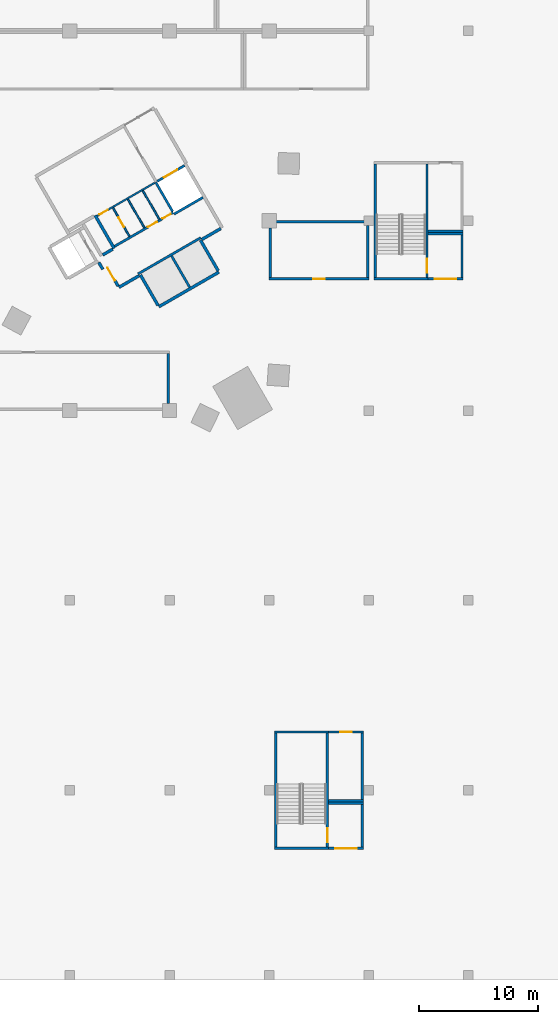
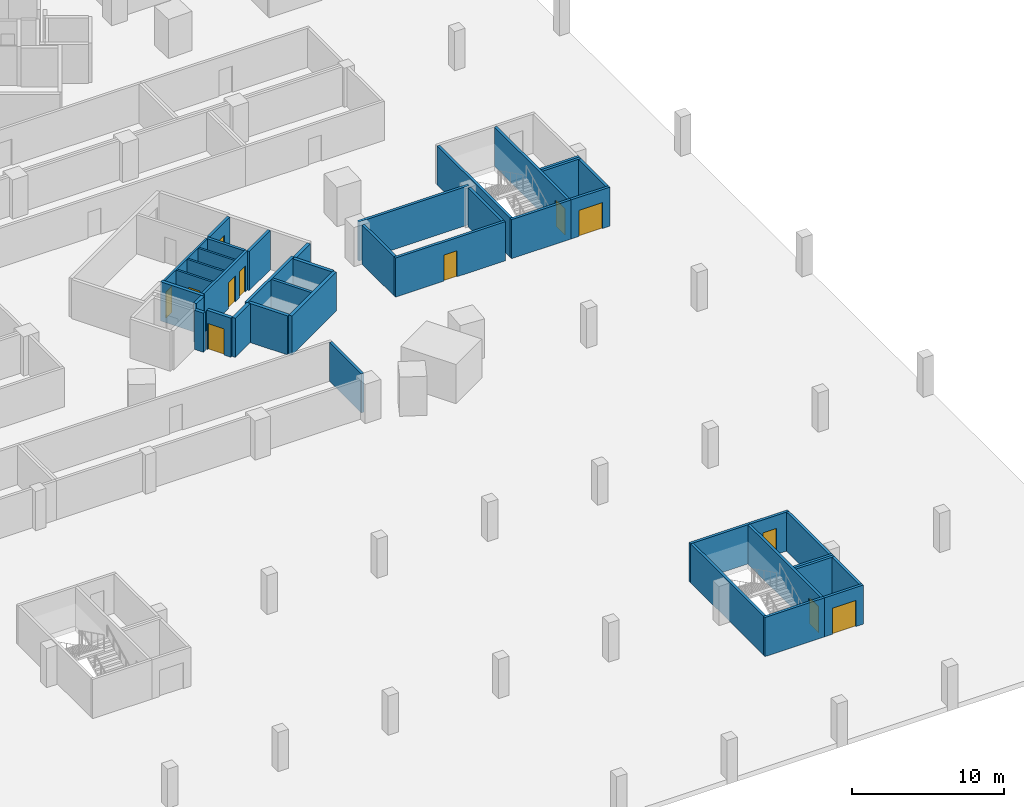
# One storey, part 12 of 37: 41 walls, 12 doors, 12 openings.
"""IFC4 building model written with IfcOpenShell, lengths in metres."""

import ifcopenshell
import ifcopenshell.guid

model = None  # the IFC model being written
_history = None  # IfcOwnerHistory: only IFC2X3 demands one
_inside = {}  # id of a spatial element -> (the spatial element, [elements in it])
_under = {}  # id of a project, library or spatial element -> (it, [spatial elements below it])
_declared = {}  # id of a project -> (the project, [libraries it declares])
_typed = {}  # id of a type object -> (the type object, [elements of that type])
_made_of = {}  # id of a material, layer set ... -> (it, [elements and type objects made of it])


def new_model(schema):
    """Start an empty IFC model of exactly this schema.

    Asked for "IFC4X3", IfcOpenShell would pick the latest addendum, in which some entities
    have other attributes; the version numbers below select the first issue.
    IFC2X3 requires an IfcOwnerHistory on every rooted entity: one is made here for all.
    """
    global model, _history
    if schema == "IFC4X3":
        model = ifcopenshell.file(schema_version=(4, 3, 0, 0))
    else:
        model = ifcopenshell.file(schema=schema)
    _inside.clear()
    _under.clear()
    _declared.clear()
    _typed.clear()
    _made_of.clear()
    _history = None
    if model.schema == "IFC2X3":
        org = make("IfcOrganization", Name="unknown")
        user = make(
            "IfcPersonAndOrganization",
            ThePerson=make("IfcPerson", FamilyName="unknown"),
            TheOrganization=org,
        )
        app = make(
            "IfcApplication",
            ApplicationDeveloper=org,
            Version="unknown",
            ApplicationFullName="unknown",
            ApplicationIdentifier="unknown",
        )
        _history = make(
            "IfcOwnerHistory",
            OwningUser=user,
            OwningApplication=app,
            ChangeAction="ADDED",
            CreationDate=0,
        )
    return model


def make(cls, **values):
    """One entity of the class cls with the attributes given. An attribute that is None is left unset."""
    return model.create_entity(
        cls, **{name: value for name, value in values.items() if value is not None}
    )


def rooted(cls, **values):
    """An entity with a GlobalId (a new one), such as an element, a storey or a relation."""
    return make(cls, GlobalId=ifcopenshell.guid.new(), OwnerHistory=_history, **values)


def si_unit(unit_type, name, prefix=None):
    """IfcSIUnit, for example si_unit("LENGTHUNIT", "METRE", prefix="MILLI")."""
    return make("IfcSIUnit", UnitType=unit_type, Prefix=prefix, Name=name)


def assignment(units):
    """IfcUnitAssignment: the units of a project."""
    return None if units is None else make("IfcUnitAssignment", Units=units)


def point(xyz):
    """IfcCartesianPoint."""
    return None if xyz is None else make("IfcCartesianPoint", Coordinates=xyz)


def direction(xyz):
    """IfcDirection."""
    return None if xyz is None else make("IfcDirection", DirectionRatios=xyz)


def frame(location, z_axis=None, x_axis=None):
    """IfcAxis2Placement3D, a coordinate frame: its origin and axes. An axis left out is left unset."""
    return make(
        "IfcAxis2Placement3D",
        Location=point(location),
        Axis=direction(z_axis),
        RefDirection=direction(x_axis),
    )


def frame_2d(location, x_axis=None):
    """IfcAxis2Placement2D, a coordinate frame in the plane: its origin and x axis."""
    return make(
        "IfcAxis2Placement2D", Location=point(location), RefDirection=direction(x_axis)
    )


def origin():
    """The frame at (0, 0, 0) with its axes left unset."""
    return frame((0.0, 0.0, 0.0))


def place(relative_to, where):
    """IfcLocalPlacement: puts the frame where relative to a parent placement (None: the world)."""
    return make(
        "IfcLocalPlacement", PlacementRelTo=relative_to, RelativePlacement=where
    )


def context(
    kind, dimensions, precision=None, world=None, true_north=None, identifier=None
):
    """IfcGeometricRepresentationContext, for example the 3D "Model" context."""
    return make(
        "IfcGeometricRepresentationContext",
        ContextIdentifier=identifier,
        ContextType=kind,
        CoordinateSpaceDimension=dimensions,
        Precision=precision,
        WorldCoordinateSystem=world,
        TrueNorth=true_north,
    )


def subcontext(parent, identifier, kind, view, scale=None):
    """IfcGeometricRepresentationSubContext, for example "Body" below "Model"."""
    return make(
        "IfcGeometricRepresentationSubContext",
        ContextIdentifier=identifier,
        ContextType=kind,
        ParentContext=parent,
        TargetScale=scale,
        TargetView=view,
    )


def project(units=None, contexts=None):
    """IfcProject with its units and contexts."""
    return rooted(
        "IfcProject",
        Name="project",
        RepresentationContexts=contexts,
        UnitsInContext=assignment(units),
    )


def spatial(cls, under=None, at=None, **own):
    """A site, building, storey or space (cls), placed at a placement, below another one or the project."""
    s = rooted(cls, ObjectPlacement=at, **own)
    if under is not None:
        _under.setdefault(under.id(), (under, []))[1].append(s)
    return s


def profile(cls, at=None, kind="AREA", **sizes):
    """A parametric profile (cls). Its sizes go by their IFC names, for example OverallWidth=200.0."""
    return make(cls, ProfileType=kind, Position=at, **sizes)


def rectangle(**sizes):
    """IfcRectangleProfileDef."""
    return profile("IfcRectangleProfileDef", **sizes)


def extrude(swept, where, along, depth):
    """IfcExtrudedAreaSolid: the profile swept, set in the frame where, extruded along a direction by depth."""
    return make(
        "IfcExtrudedAreaSolid",
        SweptArea=swept,
        Position=where,
        ExtrudedDirection=direction(along),
        Depth=depth,
    )


def shape(context_of_items, identifier, shape_type, items):
    """IfcShapeRepresentation: the items that make up one representation, for example the "Body"."""
    return make(
        "IfcShapeRepresentation",
        ContextOfItems=context_of_items,
        RepresentationIdentifier=identifier,
        RepresentationType=shape_type,
        Items=items,
    )


def material(Name=None, Category=None):
    """IfcMaterial."""
    return make("IfcMaterial", Name=Name, Category=Category)


def layer(
    of_material, thickness, ventilated=None, Name=None, Category=None, Priority=None
):
    """IfcMaterialLayer: one layer of a wall or slab, of a material (None: an air gap)."""
    return make(
        "IfcMaterialLayer",
        Material=of_material,
        LayerThickness=thickness,
        IsVentilated=ventilated,
        Name=Name,
        Category=Category,
        Priority=Priority,
    )


def layer_set(layers, Name=None):
    """IfcMaterialLayerSet."""
    return make("IfcMaterialLayerSet", MaterialLayers=layers, LayerSetName=Name)


def made_of(thing, what):
    """Note that an element or type object is made of a material, layer set ...; save() writes the relation."""
    if what is not None:
        _made_of.setdefault(what.id(), (what, []))[1].append(thing)
    return thing


def type_object(cls, material=None, **own):
    """A type object (cls), such as IfcWallType, which elements share."""
    return made_of(rooted(cls, **own), material)


def element(
    cls,
    number,
    at=None,
    inside=None,
    cuts=None,
    type_object=None,
    material=None,
    context=None,
    identifier="Body",
    shape_type=None,
    held_by="IfcProductDefinitionShape",
    body=None,
    shapes=None,
    **own,
):
    """One element of the class cls, such as IfcWall. Its Tag is "e" and its number.

    at: its placement. inside: the storey or other place that contains it. cuts: it is an
    opening in that element (IfcRelVoidsElement). A single representation is given by context,
    identifier, shape_type and body (its items); several are given by shapes. held_by: the class
    of the entity that holds the representations. save() writes the other relations.
    """
    e = rooted(cls, Tag="e%d" % number, ObjectPlacement=at, **own)
    if body is not None:
        shapes = [shape(context, identifier, shape_type, body)]
    if shapes is not None:
        e.Representation = make(held_by, Representations=shapes)
    if inside is not None:
        _inside.setdefault(inside.id(), (inside, []))[1].append(e)
    if cuts is not None:
        rooted(
            "IfcRelVoidsElement", RelatingBuildingElement=cuts, RelatedOpeningElement=e
        )
    if type_object is not None:
        _typed.setdefault(type_object.id(), (type_object, []))[1].append(e)
    return made_of(e, material)


def fill(opening, filler):
    """IfcRelFillsElement: the door or window that sits in an opening."""
    return rooted(
        "IfcRelFillsElement",
        RelatingOpeningElement=opening,
        RelatedBuildingElement=filler,
    )


def aggregate(whole, parts):
    """IfcRelAggregates: a whole, such as a stair, and the parts it consists of."""
    return rooted("IfcRelAggregates", RelatingObject=whole, RelatedObjects=parts)


def save(model, path):
    """Write the relations noted so far, then the file.

    IfcRelAggregates (storeys below a building ...), IfcRelContainedInSpatialStructure (elements
    in a storey), IfcRelDefinesByType, IfcRelAssociatesMaterial and IfcRelDeclares: one each for
    every whole, place, type object, material and project.
    """
    for whole, parts in _under.values():
        aggregate(whole, parts)
    for where, things in _inside.values():
        rooted(
            "IfcRelContainedInSpatialStructure",
            RelatedElements=things,
            RelatingStructure=where,
        )
    for kind, things in _typed.values():
        rooted("IfcRelDefinesByType", RelatedObjects=things, RelatingType=kind)
    for what, things in _made_of.values():
        rooted("IfcRelAssociatesMaterial", RelatedObjects=things, RelatingMaterial=what)
    for by, libraries in _declared.values():
        rooted("IfcRelDeclares", RelatingContext=by, RelatedDefinitions=libraries)
    model.write(path)


model = new_model("IFC4")

# Units and contexts
model_context = context("Model", 3, precision=1e-05, world=origin(), true_north=direction((0.0, 1.0)))
body_context = subcontext(model_context, "Body", "Model", "MODEL_VIEW")
ifc_project = project(units=[si_unit("LENGTHUNIT", "METRE"), si_unit("AREAUNIT", "SQUARE_METRE"), si_unit("VOLUMEUNIT", "CUBIC_METRE"), si_unit("PLANEANGLEUNIT", "RADIAN"), si_unit("MASSUNIT", "GRAM", prefix="KILO")], contexts=[model_context])

# Site, building, storey
site_placement = place(None, origin())
site = spatial("IfcSite", under=ifc_project, at=site_placement, CompositionType="ELEMENT")
building_placement = place(site_placement, origin())
building = spatial("IfcBuilding", under=site, at=building_placement, Name="Tamra Quay Hotel Tower", CompositionType="ELEMENT")
storey_placement = place(building_placement, frame((0.0, 0.0, -3.60009765625)))
storey = spatial("IfcBuildingStorey", under=building, at=storey_placement, Name="B1", CompositionType="ELEMENT", Elevation=-3.60009765625)

# Wall
ifc_material_1 = material(Name="Blockwork", Category="masonry")
ifc_layer_1 = layer(ifc_material_1, 0.199951171875)
ifc_layer_set_1 = layer_set([ifc_layer_1], Name="Car park room wall 200")
wall_type_1 = type_object("IfcWallType", Name="Car park room wall 200", PredefinedType="PARTITIONING", material=ifc_layer_set_1)
wall_1_placement = place(storey_placement, frame((11.60009765625, -31.39990234375, 0.0), z_axis=(0.0, 0.0, 1.0), x_axis=(0.0, 1.0, 0.0)))
element("IfcWall", 1, at=wall_1_placement, inside=storey, type_object=wall_type_1, Name="PW", PredefinedType="PARTITIONING", context=body_context, shape_type="SweptSolid", body=[
    extrude(rectangle(XDim=4.199951171875, YDim=0.199951171875, at=frame_2d((2.10009765625, 0.0))), origin(), (0.0, 0.0, 1.0), 3.150146484375),
])

# Wall, opening, door
wall_2_placement = place(storey_placement, frame((20.10009765625, -20.89990234375, 0.0), z_axis=(0.0, 0.0, 1.0), x_axis=(1.0, 0.0, 0.0)))
wall_2 = element("IfcWall", 2, at=wall_2_placement, inside=storey, type_object=wall_type_1, Name="PW", PredefinedType="PARTITIONING", context=body_context, shape_type="SweptSolid", body=[
    extrude(rectangle(XDim=8.39990234375, YDim=0.199951171875, at=frame_2d((4.199951171875, 0.0))), origin(), (0.0, 0.0, 1.0), 3.150146484375),
])
opening_1_placement = place(wall_2_placement, frame((3.699951171875, 0.0, 0.0)))
opening_1 = element("IfcOpeningElement", 3, at=opening_1_placement, cuts=wall_2, Name="Opening PD1", PredefinedType="OPENING", context=body_context, shape_type="SweptSolid", body=[
    extrude(rectangle(XDim=1.0, YDim=2.10009765625, at=frame_2d((0.5, 1.050048828125))), frame((0.0, 0.10986328125, 0.0), z_axis=(0.0, -1.0, 0.0), x_axis=(1.0, 0.0, 0.0)), (0.0, 0.0, 1.0), 0.219970703125),
])
ifc_material_2 = material(Name="Car park door 1000 x 2100")
door_type_1 = type_object("IfcDoorType", Name="Car park door 1000 x 2100", OperationType="NOTDEFINED", PredefinedType="DOOR", material=ifc_material_2)
door_1_placement = place(opening_1_placement, origin())
door_1 = element("IfcDoor", 4, at=door_1_placement, inside=storey, type_object=door_type_1, Name="PD1", OperationType="SINGLE_SWING_LEFT", OverallHeight=2.10009765625, OverallWidth=1.0, PredefinedType="DOOR", context=body_context, shape_type="SweptSolid", body=[
    extrude(rectangle(XDim=1.0, YDim=2.10009765625, at=frame_2d((0.5, 1.050048828125))), frame((0.0, 0.02490234375, 0.0), z_axis=(0.0, -1.0, 0.0), x_axis=(1.0, 0.0, 0.0)), (0.0, 0.0, 1.0), 0.050048828125),
])
fill(opening_1, door_1)

# Walls
wall_3_placement = place(storey_placement, frame((20.10009765625, -16.10009765625, 0.0), z_axis=(0.0, 0.0, 1.0), x_axis=(1.0, 0.0, 0.0)))
element("IfcWall", 5, at=wall_3_placement, inside=storey, type_object=wall_type_1, Name="PW", PredefinedType="PARTITIONING", context=body_context, shape_type="SweptSolid", body=[
    extrude(rectangle(XDim=8.39990234375, YDim=0.199951171875, at=frame_2d((4.199951171875, 0.0))), origin(), (0.0, 0.0, 1.0), 3.150146484375),
])
wall_4_placement = place(storey_placement, frame((20.199951171875, -20.800048828125, 0.0), z_axis=(0.0, 0.0, 1.0), x_axis=(0.0, 1.0, 0.0)))
element("IfcWall", 6, at=wall_4_placement, inside=storey, type_object=wall_type_1, Name="PW", PredefinedType="PARTITIONING", context=body_context, shape_type="SweptSolid", body=[
    extrude(rectangle(XDim=4.199951171875, YDim=0.199951171875, at=frame_2d((2.10009765625, 0.0))), origin(), (0.0, 0.0, 1.0), 3.150146484375),
])
wall_5_placement = place(storey_placement, frame((28.39990234375, -20.800048828125, 0.0), z_axis=(0.0, 0.0, 1.0), x_axis=(0.0, 1.0, 0.0)))
element("IfcWall", 7, at=wall_5_placement, inside=storey, type_object=wall_type_1, Name="PW", PredefinedType="PARTITIONING", context=body_context, shape_type="SweptSolid", body=[
    extrude(rectangle(XDim=4.400146484375, YDim=0.199951171875, at=frame_2d((2.2001953125, 0.0))), origin(), (0.0, 0.0, 1.0), 3.150146484375),
])

# Wall, opening, door
wall_6_placement = place(storey_placement, frame((25.10009765625, -68.89990234375, 0.0), z_axis=(0.0, 0.0, 1.0), x_axis=(1.0, 0.0, 0.0)))
wall_6 = element("IfcWall", 8, at=wall_6_placement, inside=storey, type_object=wall_type_1, Name="PW", PredefinedType="PARTITIONING", context=body_context, shape_type="SweptSolid", body=[
    extrude(rectangle(XDim=2.949951171875, YDim=0.199951171875, at=frame_2d((1.47509765625, 0.0))), origin(), (0.0, 0.0, 1.0), 3.150146484375),
])
opening_2_placement = place(wall_6_placement, frame((0.574951171875, 0.0, 0.0)))
opening_2 = element("IfcOpeningElement", 9, at=opening_2_placement, cuts=wall_6, Name="Opening PD2", PredefinedType="OPENING", context=body_context, shape_type="SweptSolid", body=[
    extrude(rectangle(XDim=1.800048828125, YDim=2.10009765625, at=frame_2d((0.89990234375, 1.050048828125))), frame((0.0, 0.10986328125, 0.0), z_axis=(0.0, -1.0, 0.0), x_axis=(1.0, 0.0, 0.0)), (0.0, 0.0, 1.0), 0.219970703125),
])
ifc_material_3 = material(Name="Plant door 1800 x 2100")
door_type_2 = type_object("IfcDoorType", Name="Plant door 1800 x 2100", OperationType="DOUBLE_DOOR_SINGLE_SWING", PredefinedType="DOOR", material=ifc_material_3)
door_2_placement = place(opening_2_placement, origin())
door_2 = element("IfcDoor", 10, at=door_2_placement, inside=storey, type_object=door_type_2, Name="PD2", OperationType="DOUBLE_DOOR_SINGLE_SWING", OverallHeight=2.10009765625, OverallWidth=1.800048828125, PredefinedType="DOOR", context=body_context, shape_type="SweptSolid", body=[
    extrude(rectangle(XDim=1.800048828125, YDim=2.10009765625, at=frame_2d((0.89990234375, 1.050048828125))), frame((0.0, 0.02490234375, 0.0), z_axis=(0.0, -1.0, 0.0), x_axis=(1.0, 0.0, 0.0)), (0.0, 0.0, 1.0), 0.050048828125),
])
fill(opening_2, door_2)

# Walls
wall_7_placement = place(storey_placement, frame((25.10009765625, -65.10009765625, 0.0), z_axis=(0.0, 0.0, 1.0), x_axis=(1.0, 0.0, 0.0)))
element("IfcWall", 11, at=wall_7_placement, inside=storey, type_object=wall_type_1, Name="PW", PredefinedType="PARTITIONING", context=body_context, shape_type="SweptSolid", body=[
    extrude(rectangle(XDim=2.949951171875, YDim=0.199951171875, at=frame_2d((1.47509765625, 0.0))), origin(), (0.0, 0.0, 1.0), 3.150146484375),
])
wall_8_placement = place(storey_placement, frame((27.949951171875, -68.800048828125, 0.0), z_axis=(0.0, 0.0, 1.0), x_axis=(0.0, 1.0, 0.0)))
element("IfcWall", 12, at=wall_8_placement, inside=storey, type_object=wall_type_1, Name="PW", PredefinedType="PARTITIONING", context=body_context, shape_type="SweptSolid", body=[
    extrude(rectangle(XDim=3.60009765625, YDim=0.199951171875, at=frame_2d((1.800048828125, 0.0))), origin(), (0.0, 0.0, 1.0), 3.150146484375),
])
wall_9_placement = place(storey_placement, frame((25.10009765625, -64.89990234375, 0.0), z_axis=(0.0, 0.0, 1.0), x_axis=(1.0, 0.0, 0.0)))
element("IfcWall", 13, at=wall_9_placement, inside=storey, type_object=wall_type_1, Name="PW", PredefinedType="PARTITIONING", context=body_context, shape_type="SweptSolid", body=[
    extrude(rectangle(XDim=2.949951171875, YDim=0.199951171875, at=frame_2d((1.47509765625, 0.0))), origin(), (0.0, 0.0, 1.0), 3.150146484375),
])

# Wall, opening, door
wall_10_placement = place(storey_placement, frame((25.10009765625, -59.10009765625, 0.0), z_axis=(0.0, 0.0, 1.0), x_axis=(1.0, 0.0, 0.0)))
wall_10 = element("IfcWall", 14, at=wall_10_placement, inside=storey, type_object=wall_type_1, Name="PW", PredefinedType="PARTITIONING", context=body_context, shape_type="SweptSolid", body=[
    extrude(rectangle(XDim=2.949951171875, YDim=0.199951171875, at=frame_2d((1.47509765625, 0.0))), origin(), (0.0, 0.0, 1.0), 3.150146484375),
])
opening_3_placement = place(wall_10_placement, frame((0.97509765625, 0.0, 0.0)))
opening_3 = element("IfcOpeningElement", 15, at=opening_3_placement, cuts=wall_10, Name="Opening PD1", PredefinedType="OPENING", context=body_context, shape_type="SweptSolid", body=[
    extrude(rectangle(XDim=1.0, YDim=2.10009765625, at=frame_2d((0.5, 1.050048828125))), frame((0.0, 0.10986328125, 0.0), z_axis=(0.0, -1.0, 0.0), x_axis=(1.0, 0.0, 0.0)), (0.0, 0.0, 1.0), 0.219970703125),
])
door_3_placement = place(opening_3_placement, origin())
door_3 = element("IfcDoor", 16, at=door_3_placement, inside=storey, type_object=door_type_1, Name="PD1", OperationType="SINGLE_SWING_LEFT", OverallHeight=2.10009765625, OverallWidth=1.0, PredefinedType="DOOR", context=body_context, shape_type="SweptSolid", body=[
    extrude(rectangle(XDim=1.0, YDim=2.10009765625, at=frame_2d((0.5, 1.050048828125))), frame((0.0, 0.02490234375, 0.0), z_axis=(0.0, -1.0, 0.0), x_axis=(1.0, 0.0, 0.0)), (0.0, 0.0, 1.0), 0.050048828125),
])
fill(opening_3, door_3)

# Wall
wall_11_placement = place(storey_placement, frame((27.949951171875, -64.800048828125, 0.0), z_axis=(0.0, 0.0, 1.0), x_axis=(0.0, 1.0, 0.0)))
element("IfcWall", 17, at=wall_11_placement, inside=storey, type_object=wall_type_1, Name="PW", PredefinedType="PARTITIONING", context=body_context, shape_type="SweptSolid", body=[
    extrude(rectangle(XDim=5.60009765625, YDim=0.199951171875, at=frame_2d((2.800048828125, 0.0))), origin(), (0.0, 0.0, 1.0), 3.150146484375),
])

# Wall, opening, door
wall_12_placement = place(storey_placement, frame((33.5, -20.89990234375, 0.0), z_axis=(0.0, 0.0, 1.0), x_axis=(1.0, 0.0, 0.0)))
wall_12 = element("IfcWall", 18, at=wall_12_placement, inside=storey, type_object=wall_type_1, Name="PW", PredefinedType="PARTITIONING", context=body_context, shape_type="SweptSolid", body=[
    extrude(rectangle(XDim=2.949951171875, YDim=0.199951171875, at=frame_2d((1.47509765625, 0.0))), origin(), (0.0, 0.0, 1.0), 3.150146484375),
])
opening_4_placement = place(wall_12_placement, frame((0.574951171875, 0.0, 0.0)))
opening_4 = element("IfcOpeningElement", 19, at=opening_4_placement, cuts=wall_12, Name="Opening PD2", PredefinedType="OPENING", context=body_context, shape_type="SweptSolid", body=[
    extrude(rectangle(XDim=1.800048828125, YDim=2.10009765625, at=frame_2d((0.89990234375, 1.050048828125))), frame((0.0, 0.10986328125, 0.0), z_axis=(0.0, -1.0, 0.0), x_axis=(1.0, 0.0, 0.0)), (0.0, 0.0, 1.0), 0.219970703125),
])
door_4_placement = place(opening_4_placement, origin())
door_4 = element("IfcDoor", 20, at=door_4_placement, inside=storey, type_object=door_type_2, Name="PD2", OperationType="DOUBLE_DOOR_SINGLE_SWING", OverallHeight=2.10009765625, OverallWidth=1.800048828125, PredefinedType="DOOR", context=body_context, shape_type="SweptSolid", body=[
    extrude(rectangle(XDim=1.800048828125, YDim=2.10009765625, at=frame_2d((0.89990234375, 1.050048828125))), frame((0.0, 0.02490234375, 0.0), z_axis=(0.0, -1.0, 0.0), x_axis=(1.0, 0.0, 0.0)), (0.0, 0.0, 1.0), 0.050048828125),
])
fill(opening_4, door_4)

# Walls
wall_13_placement = place(storey_placement, frame((33.5, -17.10009765625, 0.0), z_axis=(0.0, 0.0, 1.0), x_axis=(1.0, 0.0, 0.0)))
element("IfcWall", 21, at=wall_13_placement, inside=storey, type_object=wall_type_1, Name="PW", PredefinedType="PARTITIONING", context=body_context, shape_type="SweptSolid", body=[
    extrude(rectangle(XDim=2.949951171875, YDim=0.199951171875, at=frame_2d((1.47509765625, 0.0))), origin(), (0.0, 0.0, 1.0), 3.150146484375),
])
wall_14_placement = place(storey_placement, frame((36.35009765625, -20.800048828125, 0.0), z_axis=(0.0, 0.0, 1.0), x_axis=(0.0, 1.0, 0.0)))
element("IfcWall", 22, at=wall_14_placement, inside=storey, type_object=wall_type_1, Name="PW", PredefinedType="PARTITIONING", context=body_context, shape_type="SweptSolid", body=[
    extrude(rectangle(XDim=3.60009765625, YDim=0.199951171875, at=frame_2d((1.800048828125, 0.0))), origin(), (0.0, 0.0, 1.0), 3.150146484375),
])
wall_15_placement = place(storey_placement, frame((33.5, -16.89990234375, 0.0), z_axis=(0.0, 0.0, 1.0), x_axis=(1.0, 0.0, 0.0)))
element("IfcWall", 23, at=wall_15_placement, inside=storey, type_object=wall_type_1, Name="PW", PredefinedType="PARTITIONING", context=body_context, shape_type="SweptSolid", body=[
    extrude(rectangle(XDim=2.949951171875, YDim=0.199951171875, at=frame_2d((1.47509765625, 0.0))), origin(), (0.0, 0.0, 1.0), 3.150146484375),
])
ifc_material_4 = material(Name="Concrete M70", Category="concrete")
ifc_layer_2 = layer(ifc_material_4, 0.199951171875)
ifc_layer_set_2 = layer_set([ifc_layer_2], Name="Concrete M70 core wall 200")
wall_type_2 = type_object("IfcWallType", Name="Concrete M70 core wall 200", PredefinedType="SHEAR", material=ifc_layer_set_2)
wall_16_placement = place(storey_placement, frame((9.052490234375, -20.479736328125, 0.0), z_axis=(0.0, 0.0, 1.0), x_axis=(0.866030299012, 0.499991521122, 0.0)))
element("IfcWall", 24, at=wall_16_placement, inside=storey, type_object=wall_type_2, Name="CW2", PredefinedType="SHEAR", context=body_context, shape_type="SweptSolid", body=[
    extrude(rectangle(XDim=6.10009765625, YDim=0.199951171875, at=frame_2d((3.050048828125, 0.0))), origin(), (0.0, 0.0, 1.0), 3.150146484375),
])

# Wall, openings, doors
wall_17_placement = place(storey_placement, frame((7.0771484375, -18.156005859375, 0.0), z_axis=(0.0, 0.0, 1.0), x_axis=(0.866038630372, 0.499977090179, 0.0)))
wall_17 = element("IfcWall", 25, at=wall_17_placement, inside=storey, type_object=wall_type_2, Name="CW2", PredefinedType="SHEAR", context=body_context, shape_type="SweptSolid", body=[
    extrude(rectangle(XDim=5.698974609375, YDim=0.199951171875, at=frame_2d((2.849609375, 0.0))), origin(), (0.0, 0.0, 1.0), 3.150146484375),
])
opening_5_placement = place(wall_17_placement, frame((3.22412109375, 0.0, 0.0)))
opening_5 = element("IfcOpeningElement", 26, at=opening_5_placement, cuts=wall_17, Name="Opening D2", PredefinedType="OPENING", context=body_context, shape_type="SweptSolid", body=[
    extrude(rectangle(XDim=0.89990234375, YDim=2.10009765625, at=frame_2d((0.449951171875, 1.050048828125))), frame((0.0, 0.10986328125, 0.0), z_axis=(0.0, -1.0, 0.0), x_axis=(1.0, 0.0, 0.0)), (0.0, 0.0, 1.0), 0.219970703125),
])
opening_6_placement = place(wall_17_placement, frame((4.64892578125, 0.0, 0.0)))
opening_6 = element("IfcOpeningElement", 27, at=opening_6_placement, cuts=wall_17, Name="Opening D3", PredefinedType="OPENING", context=body_context, shape_type="SweptSolid", body=[
    extrude(rectangle(XDim=0.800048828125, YDim=2.10009765625, at=frame_2d((0.39990234375, 1.050048828125))), frame((0.0, 0.10986328125, 0.0), z_axis=(0.0, -1.0, 0.0), x_axis=(1.0, 0.0, 0.0)), (0.0, 0.0, 1.0), 0.219970703125),
])
ifc_material_5 = material(Name="Core door D2 900x2100 RH")
door_type_3 = type_object("IfcDoorType", Name="Core door D2 900x2100 RH", OperationType="NOTDEFINED", PredefinedType="DOOR", material=ifc_material_5)
door_5_placement = place(opening_5_placement, origin())
door_5 = element("IfcDoor", 28, at=door_5_placement, inside=storey, type_object=door_type_3, Name="D2", OperationType="SINGLE_SWING_RIGHT", OverallHeight=2.10009765625, OverallWidth=0.89990234375, PredefinedType="DOOR", context=body_context, shape_type="SweptSolid", body=[
    extrude(rectangle(XDim=0.89990234375, YDim=2.10009765625, at=frame_2d((0.449951171875, 1.050048828125))), frame((0.0, 0.02490234375, 0.0), z_axis=(0.0, -1.0, 0.0), x_axis=(1.0, 0.0, 0.0)), (0.0, 0.0, 1.0), 0.050048828125),
])
fill(opening_5, door_5)
ifc_material_6 = material(Name="Core door D3 800x2100 LH")
door_type_4 = type_object("IfcDoorType", Name="Core door D3 800x2100 LH", OperationType="NOTDEFINED", PredefinedType="DOOR", material=ifc_material_6)
door_6_placement = place(opening_6_placement, origin())
door_6 = element("IfcDoor", 29, at=door_6_placement, inside=storey, type_object=door_type_4, Name="D3", OperationType="SINGLE_SWING_LEFT", OverallHeight=2.10009765625, OverallWidth=0.800048828125, PredefinedType="DOOR", context=body_context, shape_type="SweptSolid", body=[
    extrude(rectangle(XDim=0.800048828125, YDim=2.10009765625, at=frame_2d((0.39990234375, 1.050048828125))), frame((0.0, 0.02490234375, 0.0), z_axis=(0.0, -1.0, 0.0), x_axis=(1.0, 0.0, 0.0)), (0.0, 0.0, 1.0), 0.050048828125),
])
fill(opening_6, door_6)

# Walls
wall_18_placement = place(storey_placement, frame((11.87451171875, -18.967041015625, 0.0), z_axis=(0.0, 0.0, 1.0), x_axis=(0.49998131003, -0.866036194175, 0.0)))
element("IfcWall", 30, at=wall_18_placement, inside=storey, type_object=wall_type_2, Name="CW2", PredefinedType="SHEAR", context=body_context, shape_type="SweptSolid", body=[
    extrude(rectangle(XDim=3.0478515625, YDim=0.199951171875, at=frame_2d((1.52392578125, 0.0))), origin(), (0.0, 0.0, 1.0), 3.150146484375),
])
wall_19_placement = place(storey_placement, frame((11.962646484375, -15.219970703125, 0.0), z_axis=(0.0, 0.0, 1.0), x_axis=(-0.500036373335, 0.866004402611, 0.0)))
element("IfcWall", 31, at=wall_19_placement, inside=storey, type_object=wall_type_2, Name="CW2", PredefinedType="SHEAR", context=body_context, shape_type="SweptSolid", body=[
    extrude(rectangle(XDim=2.849853515625, YDim=0.199951171875, at=frame_2d((1.4248046875, 0.0))), origin(), (0.0, 0.0, 1.0), 3.150146484375),
])

# Wall, opening, door
wall_20_placement = place(storey_placement, frame((10.667724609375, -12.6767578125, 0.0), z_axis=(0.0, 0.0, 1.0), x_axis=(0.866016748302, 0.500014991436, 0.0)))
wall_20 = element("IfcWall", 32, at=wall_20_placement, inside=storey, type_object=wall_type_2, Name="CW2", PredefinedType="SHEAR", context=body_context, shape_type="SweptSolid", body=[
    extrude(rectangle(XDim=2.64892578125, YDim=0.199951171875, at=frame_2d((1.324462890625, 0.0))), origin(), (0.0, 0.0, 1.0), 3.150146484375),
])
opening_7_placement = place(wall_20_placement, frame((0.64990234375, 0.0, 0.0)))
opening_7 = element("IfcOpeningElement", 33, at=opening_7_placement, cuts=wall_20, Name="Opening LD", PredefinedType="OPENING", context=body_context, shape_type="SweptSolid", body=[
    extrude(rectangle(XDim=1.300048828125, YDim=2.10009765625, at=frame_2d((0.64990234375, 1.050048828125))), frame((0.0, 0.10986328125, 0.0), z_axis=(0.0, -1.0, 0.0), x_axis=(1.0, 0.0, 0.0)), (0.0, 0.0, 1.0), 0.219970703125),
])
ifc_material_7 = material(Name="Landing door LD 1300 sliding to left")
door_type_5 = type_object("IfcDoorType", Name="Landing door LD 1300 sliding to left", OperationType="NOTDEFINED", PredefinedType="DOOR", material=ifc_material_7)
door_7_placement = place(opening_7_placement, origin())
door_7 = element("IfcDoor", 34, at=door_7_placement, inside=storey, type_object=door_type_5, Name="LD", OperationType="SLIDING_TO_LEFT", OverallHeight=2.10009765625, OverallWidth=1.300048828125, PredefinedType="DOOR", context=body_context, shape_type="SweptSolid", body=[
    extrude(rectangle(XDim=1.300048828125, YDim=2.10009765625, at=frame_2d((0.64990234375, 1.050048828125))), frame((0.0, 0.02490234375, 0.0), z_axis=(0.0, -1.0, 0.0), x_axis=(1.0, 0.0, 0.0)), (0.0, 0.0, 1.0), 0.050048828125),
])
fill(opening_7, door_7)

# Walls
wall_21_placement = place(storey_placement, frame((14.51171875, -14.037109375, 0.0), z_axis=(0.0, 0.0, 1.0), x_axis=(-0.866044696403, -0.499966582715, 0.0)))
element("IfcWall", 35, at=wall_21_placement, inside=storey, type_object=wall_type_2, Name="CW2", PredefinedType="SHEAR", context=body_context, shape_type="SweptSolid", body=[
    extrude(rectangle(XDim=2.799072265625, YDim=0.199951171875, at=frame_2d((1.3994140625, 0.0))), origin(), (0.0, 0.0, 1.0), 3.150146484375),
])
ifc_layer_3 = layer(ifc_material_4, 0.25)
ifc_layer_set_3 = layer_set([ifc_layer_3], Name="Concrete M70 core wall 250")
wall_type_3 = type_object("IfcWallType", Name="Concrete M70 core wall 250", PredefinedType="SHEAR", material=ifc_layer_set_3)
wall_22_placement = place(storey_placement, frame((15.86474609375, -20.328369140625, 0.0), z_axis=(0.0, 0.0, 1.0), x_axis=(-0.86602852612, -0.499994591916, 0.0)))
element("IfcWall", 36, at=wall_22_placement, inside=storey, type_object=wall_type_3, Name="CW1", PredefinedType="SHEAR", context=body_context, shape_type="SweptSolid", body=[
    extrude(rectangle(XDim=5.85009765625, YDim=0.25, at=frame_2d((2.925048828125, 0.0))), origin(), (0.0, 0.0, 1.0), 3.150146484375),
])
wall_23_placement = place(storey_placement, frame((7.030517578125, -18.327392578125, 0.0), z_axis=(0.0, 0.0, 1.0), x_axis=(-0.499971222258, 0.866042017984, 0.0)))
element("IfcWall", 37, at=wall_23_placement, inside=storey, type_object=wall_type_3, Name="CW1", PredefinedType="SHEAR", context=body_context, shape_type="SweptSolid", body=[
    extrude(rectangle(XDim=3.199951171875, YDim=0.25, at=frame_2d((1.60009765625, 0.0))), origin(), (0.0, 0.0, 1.0), 3.150146484375),
])
for number, where, z_axis, x_axis, name in (
    (38, (14.314697265625, -17.643798828125, 0.0), (0.0, 0.0, 1.0), (0.500023226632, -0.866011993467, 0.0), "CW1"),
    (39, (10.73583984375, -23.144775390625, 0.0), (0.0, 0.0, 1.0), (-0.500023226632, 0.866011993467, 0.0), "CW1"),
):
    element("IfcWall", number, at=place(storey_placement, frame(where, z_axis=z_axis, x_axis=x_axis)), inside=storey, type_object=wall_type_3, Name=name, PredefinedType="SHEAR", context=body_context, shape_type="SweptSolid", body=[
        extrude(rectangle(XDim=2.974365234375, YDim=0.25, at=frame_2d((1.4873046875, 0.0))), origin(), (0.0, 0.0, 1.0), 3.150146484375),
    ])
wall_24_placement = place(storey_placement, frame((9.139892578125, -20.63134765625, 0.0), z_axis=(0.0, 0.0, 1.0), x_axis=(-0.866043531843, -0.499968599967, 0.0)))
element("IfcWall", 40, at=wall_24_placement, inside=storey, type_object=wall_type_3, Name="CW1", PredefinedType="SHEAR", context=body_context, shape_type="SweptSolid", body=[
    extrude(rectangle(XDim=1.974853515625, YDim=0.25, at=frame_2d((0.9873046875, 0.0))), origin(), (0.0, 0.0, 1.0), 3.150146484375),
])
wall_25_placement = place(storey_placement, frame((16.024658203125, -16.656494140625, 0.0), z_axis=(0.0, 0.0, 1.0), x_axis=(-0.866016279763, -0.500015802937, 0.0)))
element("IfcWall", 41, at=wall_25_placement, inside=storey, type_object=wall_type_3, Name="CW1", PredefinedType="SHEAR", context=body_context, shape_type="SweptSolid", body=[
    extrude(rectangle(XDim=1.84912109375, YDim=0.25, at=frame_2d((0.924560546875, 0.0))), origin(), (0.0, 0.0, 1.0), 3.150146484375),
])

# Wall, opening, door
wall_26_placement = place(storey_placement, frame((7.3671875, -21.51025390625, 0.0), z_axis=(0.0, 0.0, 1.0), x_axis=(-0.499983108224, 0.866035156036, 0.0)))
wall_26 = element("IfcWall", 42, at=wall_26_placement, inside=storey, type_object=wall_type_3, Name="CW1", PredefinedType="SHEAR", context=body_context, shape_type="SweptSolid", body=[
    extrude(rectangle(XDim=1.86474609375, YDim=0.25, at=frame_2d((0.932373046875, 0.0))), origin(), (0.0, 0.0, 1.0), 3.150146484375),
])
opening_8_placement = place(wall_26_placement, frame((0.53466796875, 0.0, 0.0)))
opening_8 = element("IfcOpeningElement", 43, at=opening_8_placement, cuts=wall_26, Name="Opening FD3", PredefinedType="OPENING", context=body_context, shape_type="SweptSolid", body=[
    extrude(rectangle(XDim=1.25, YDim=2.10009765625, at=frame_2d((0.625, 1.050048828125))), frame((0.0, 0.135009765625, 0.0), z_axis=(0.0, -1.0, 0.0), x_axis=(1.0, 0.0, 0.0)), (0.0, 0.0, 1.0), 0.27001953125),
])
ifc_material_8 = material(Name="Core door FD3 1250x2100 LH")
door_type_6 = type_object("IfcDoorType", Name="Core door FD3 1250x2100 LH", OperationType="NOTDEFINED", PredefinedType="DOOR", material=ifc_material_8)
door_8_placement = place(opening_8_placement, origin())
door_8 = element("IfcDoor", 44, at=door_8_placement, inside=storey, type_object=door_type_6, Name="FD3", OperationType="SINGLE_SWING_LEFT", OverallHeight=2.10009765625, OverallWidth=1.25, PredefinedType="DOOR", context=body_context, shape_type="SweptSolid", body=[
    extrude(rectangle(XDim=1.25, YDim=2.10009765625, at=frame_2d((0.625, 1.050048828125))), frame((0.0, 0.02490234375, 0.0), z_axis=(0.0, -1.0, 0.0), x_axis=(1.0, 0.0, 0.0)), (0.0, 0.0, 1.0), 0.050048828125),
])
fill(opening_8, door_8)

# Walls
wall_27_placement = place(storey_placement, frame((6.0654296875, -18.884765625, 0.0), z_axis=(0.0, 0.0, 1.0), x_axis=(0.866017078145, 0.500014420154, 0.0)))
element("IfcWall", 45, at=wall_27_placement, inside=storey, type_object=wall_type_3, Name="CW1", PredefinedType="SHEAR", context=body_context, shape_type="SweptSolid", body=[
    extrude(rectangle(XDim=0.9892578125, YDim=0.25, at=frame_2d((0.49462890625, 0.0))), origin(), (0.0, 0.0, 1.0), 3.150146484375),
])
wall_28_placement = place(storey_placement, frame((6.07958984375, -20.100341796875, 0.0), z_axis=(0.0, 0.0, 1.0), x_axis=(-0.500051773299, 0.865995510393, 0.0)))
element("IfcWall", 46, at=wall_28_placement, inside=storey, type_object=wall_type_3, Name="CW1", PredefinedType="SHEAR", context=body_context, shape_type="SweptSolid", body=[
    extrude(rectangle(XDim=0.6845703125, YDim=0.25, at=frame_2d((0.34228515625, 0.0))), origin(), (0.0, 0.0, 1.0), 3.150146484375),
])
ifc_layer_4 = layer(ifc_material_4, 0.199951171875)
ifc_layer_set_4 = layer_set([ifc_layer_4], Name="Concrete M70 stair enclosure wall 200")
wall_type_4 = type_object("IfcWallType", Name="Concrete M70 stair enclosure wall 200", PredefinedType="SOLIDWALL", material=ifc_layer_set_4)
wall_29_placement = place(storey_placement, frame((20.64990234375, -68.800048828125, 0.0), z_axis=(0.0, 0.0, 1.0), x_axis=(0.0, 1.0, 0.0)))
element("IfcWall", 47, at=wall_29_placement, inside=storey, type_object=wall_type_4, Name="SEW", PredefinedType="SOLIDWALL", context=body_context, shape_type="SweptSolid", body=[
    extrude(rectangle(XDim=9.60009765625, YDim=0.199951171875, at=frame_2d((4.800048828125, 0.0))), origin(), (0.0, 0.0, 1.0), 3.150146484375),
])

# Wall, opening, door
wall_30_placement = place(storey_placement, frame((25.0, -68.800048828125, 0.0), z_axis=(0.0, 0.0, 1.0), x_axis=(0.0, 1.0, 0.0)))
wall_30 = element("IfcWall", 48, at=wall_30_placement, inside=storey, type_object=wall_type_4, Name="SEW", PredefinedType="SOLIDWALL", context=body_context, shape_type="SweptSolid", body=[
    extrude(rectangle(XDim=9.60009765625, YDim=0.199951171875, at=frame_2d((4.800048828125, 0.0))), origin(), (0.0, 0.0, 1.0), 3.150146484375),
])
opening_9_placement = place(wall_30_placement, frame((0.39990234375, 0.0, 0.0)))
opening_9 = element("IfcOpeningElement", 49, at=opening_9_placement, cuts=wall_30, Name="Opening SD1", PredefinedType="OPENING", context=body_context, shape_type="SweptSolid", body=[
    extrude(rectangle(XDim=1.199951171875, YDim=2.10009765625, at=frame_2d((0.60009765625, 1.050048828125))), frame((0.0, 0.10986328125, 0.0), z_axis=(0.0, -1.0, 0.0), x_axis=(1.0, 0.0, 0.0)), (0.0, 0.0, 1.0), 0.219970703125),
])
ifc_material_9 = material(Name="Stair door 1200 x 2100")
door_type_7 = type_object("IfcDoorType", Name="Stair door 1200 x 2100", OperationType="NOTDEFINED", PredefinedType="DOOR", material=ifc_material_9)
door_9_placement = place(opening_9_placement, origin())
door_9 = element("IfcDoor", 50, at=door_9_placement, inside=storey, type_object=door_type_7, Name="SD1", OperationType="SINGLE_SWING_LEFT", OverallHeight=2.10009765625, OverallWidth=1.199951171875, PredefinedType="DOOR", context=body_context, shape_type="SweptSolid", body=[
    extrude(rectangle(XDim=1.199951171875, YDim=2.10009765625, at=frame_2d((0.60009765625, 1.050048828125))), frame((0.0, 0.02490234375, 0.0), z_axis=(0.0, -1.0, 0.0), x_axis=(1.0, 0.0, 0.0)), (0.0, 0.0, 1.0), 0.050048828125),
])
fill(opening_9, door_9)

# Walls
for number, where, z_axis, x_axis, name in (
    (51, (25.10009765625, -68.89990234375, 0.0), (0.0, 0.0, 1.0), (-1.0, 0.0, 0.0), "SEW"),
    (52, (20.550048828125, -59.10009765625, 0.0), (0.0, 0.0, 1.0), (1.0, 0.0, 0.0), "SEW"),
):
    element("IfcWall", number, at=place(storey_placement, frame(where, z_axis=z_axis, x_axis=x_axis)), inside=storey, type_object=wall_type_4, Name=name, PredefinedType="SOLIDWALL", context=body_context, shape_type="SweptSolid", body=[
        extrude(rectangle(XDim=4.550048828125, YDim=0.199951171875, at=frame_2d((2.27490234375, 0.0))), origin(), (0.0, 0.0, 1.0), 3.150146484375),
    ])
wall_31_placement = place(storey_placement, frame((29.050048828125, -20.800048828125, 0.0), z_axis=(0.0, 0.0, 1.0), x_axis=(0.0, 1.0, 0.0)))
element("IfcWall", 53, at=wall_31_placement, inside=storey, type_object=wall_type_4, Name="SEW", PredefinedType="SOLIDWALL", context=body_context, shape_type="SweptSolid", body=[
    extrude(rectangle(XDim=9.60009765625, YDim=0.199951171875, at=frame_2d((4.800048828125, 0.0))), origin(), (0.0, 0.0, 1.0), 3.150146484375),
])

# Wall, opening, door
wall_32_placement = place(storey_placement, frame((33.39990234375, -20.800048828125, 0.0), z_axis=(0.0, 0.0, 1.0), x_axis=(0.0, 1.0, 0.0)))
wall_32 = element("IfcWall", 54, at=wall_32_placement, inside=storey, type_object=wall_type_4, Name="SEW", PredefinedType="SOLIDWALL", context=body_context, shape_type="SweptSolid", body=[
    extrude(rectangle(XDim=9.60009765625, YDim=0.199951171875, at=frame_2d((4.800048828125, 0.0))), origin(), (0.0, 0.0, 1.0), 3.150146484375),
])
opening_10_placement = place(wall_32_placement, frame((0.39990234375, 0.0, 0.0)))
opening_10 = element("IfcOpeningElement", 55, at=opening_10_placement, cuts=wall_32, Name="Opening SD1", PredefinedType="OPENING", context=body_context, shape_type="SweptSolid", body=[
    extrude(rectangle(XDim=1.199951171875, YDim=2.10009765625, at=frame_2d((0.60009765625, 1.050048828125))), frame((0.0, 0.10986328125, 0.0), z_axis=(0.0, -1.0, 0.0), x_axis=(1.0, 0.0, 0.0)), (0.0, 0.0, 1.0), 0.219970703125),
])
door_10_placement = place(opening_10_placement, origin())
door_10 = element("IfcDoor", 56, at=door_10_placement, inside=storey, type_object=door_type_7, Name="SD1", OperationType="SINGLE_SWING_LEFT", OverallHeight=2.10009765625, OverallWidth=1.199951171875, PredefinedType="DOOR", context=body_context, shape_type="SweptSolid", body=[
    extrude(rectangle(XDim=1.199951171875, YDim=2.10009765625, at=frame_2d((0.60009765625, 1.050048828125))), frame((0.0, 0.02490234375, 0.0), z_axis=(0.0, -1.0, 0.0), x_axis=(1.0, 0.0, 0.0)), (0.0, 0.0, 1.0), 0.050048828125),
])
fill(opening_10, door_10)

# Wall
wall_33_placement = place(storey_placement, frame((33.5, -20.89990234375, 0.0), z_axis=(0.0, 0.0, 1.0), x_axis=(-1.0, 0.0, 0.0)))
element("IfcWall", 57, at=wall_33_placement, inside=storey, type_object=wall_type_4, Name="SEW", PredefinedType="SOLIDWALL", context=body_context, shape_type="SweptSolid", body=[
    extrude(rectangle(XDim=4.550048828125, YDim=0.199951171875, at=frame_2d((2.27490234375, 0.0))), origin(), (0.0, 0.0, 1.0), 3.150146484375),
])

# Wall, opening, door
ifc_layer_5 = layer(ifc_material_1, 0.14990234375)
ifc_layer_set_5 = layer_set([ifc_layer_5], Name="Core partition block 150")
wall_type_5 = type_object("IfcWallType", Name="Core partition block 150", PredefinedType="PARTITIONING", material=ifc_layer_set_5)
wall_34_placement = place(storey_placement, frame((10.45166015625, -12.801513671875, 0.0), z_axis=(0.0, 0.0, 1.0), x_axis=(-0.866015695474, -0.500016814911, 0.0)))
wall_34 = element("IfcWall", 58, at=wall_34_placement, inside=storey, type_object=wall_type_5, Name="CP1", PredefinedType="PARTITIONING", context=body_context, shape_type="SweptSolid", body=[
    extrude(rectangle(XDim=5.599853515625, YDim=0.14990234375, at=frame_2d((2.7998046875, 0.0))), origin(), (0.0, 0.0, 1.0), 3.150146484375),
])
opening_11_placement = place(wall_34_placement, frame((4.57568359375, 0.0, 0.0)))
opening_11 = element("IfcOpeningElement", 59, at=opening_11_placement, cuts=wall_34, Name="Opening D3", PredefinedType="OPENING", context=body_context, shape_type="SweptSolid", body=[
    extrude(rectangle(XDim=0.800048828125, YDim=2.10009765625, at=frame_2d((0.39990234375, 1.050048828125))), frame((0.0, 0.0849609375, 0.0), z_axis=(0.0, -1.0, 0.0), x_axis=(1.0, 0.0, 0.0)), (0.0, 0.0, 1.0), 0.169921875),
])
ifc_material_10 = material(Name="Core door D3 800x2100 RH")
door_type_8 = type_object("IfcDoorType", Name="Core door D3 800x2100 RH", OperationType="NOTDEFINED", PredefinedType="DOOR", material=ifc_material_10)
door_11_placement = place(opening_11_placement, origin())
door_11 = element("IfcDoor", 60, at=door_11_placement, inside=storey, type_object=door_type_8, Name="D3", OperationType="SINGLE_SWING_RIGHT", OverallHeight=2.10009765625, OverallWidth=0.800048828125, PredefinedType="DOOR", context=body_context, shape_type="SweptSolid", body=[
    extrude(rectangle(XDim=0.800048828125, YDim=2.10009765625, at=frame_2d((0.39990234375, 1.050048828125))), frame((0.0, 0.02490234375, 0.0), z_axis=(0.0, -1.0, 0.0), x_axis=(1.0, 0.0, 0.0)), (0.0, 0.0, 1.0), 0.050048828125),
])
fill(opening_11, door_11)

# Walls
for number, where, z_axis, x_axis, name in (
    (61, (8.194091796875, -14.1923828125, 0.0), (0.0, 0.0, 1.0), (0.500001852011, -0.866024334523, 0.0), "CP1"),
    (62, (9.449951171875, -13.467529296875, 0.0), (0.0, 0.0, 1.0), (0.500001852011, -0.866024334523, 0.0), "CP1"),
):
    element("IfcWall", number, at=place(storey_placement, frame(where, z_axis=z_axis, x_axis=x_axis)), inside=storey, type_object=wall_type_5, Name=name, PredefinedType="PARTITIONING", context=body_context, shape_type="SweptSolid", body=[
        extrude(rectangle(XDim=2.7734375, YDim=0.14990234375, at=frame_2d((1.38671875, 0.0))), origin(), (0.0, 0.0, 1.0), 3.150146484375),
    ])

# Wall, opening, door
wall_35_placement = place(storey_placement, frame((6.9384765625, -14.91748046875, 0.0), z_axis=(0.0, 0.0, 1.0), x_axis=(0.500001852011, -0.866024334523, 0.0)))
wall_35 = element("IfcWall", 63, at=wall_35_placement, inside=storey, type_object=wall_type_5, Name="CP1", PredefinedType="PARTITIONING", context=body_context, shape_type="SweptSolid", body=[
    extrude(rectangle(XDim=2.7734375, YDim=0.14990234375, at=frame_2d((1.38671875, 0.0))), origin(), (0.0, 0.0, 1.0), 3.150146484375),
])
opening_12_placement = place(wall_35_placement, frame((0.94921875, 0.0, 0.0)))
opening_12 = element("IfcOpeningElement", 64, at=opening_12_placement, cuts=wall_35, Name="Opening D2", PredefinedType="OPENING", context=body_context, shape_type="SweptSolid", body=[
    extrude(rectangle(XDim=0.89990234375, YDim=2.10009765625, at=frame_2d((0.449951171875, 1.050048828125))), frame((0.0, 0.0849609375, 0.0), z_axis=(0.0, -1.0, 0.0), x_axis=(1.0, 0.0, 0.0)), (0.0, 0.0, 1.0), 0.169921875),
])
ifc_material_11 = material(Name="Core door D2 900x2100 LH")
door_type_9 = type_object("IfcDoorType", Name="Core door D2 900x2100 LH", OperationType="NOTDEFINED", PredefinedType="DOOR", material=ifc_material_11)
door_12_placement = place(opening_12_placement, origin())
door_12 = element("IfcDoor", 65, at=door_12_placement, inside=storey, type_object=door_type_9, Name="D2", OperationType="SINGLE_SWING_LEFT", OverallHeight=2.10009765625, OverallWidth=0.89990234375, PredefinedType="DOOR", context=body_context, shape_type="SweptSolid", body=[
    extrude(rectangle(XDim=0.89990234375, YDim=2.10009765625, at=frame_2d((0.449951171875, 1.050048828125))), frame((0.0, 0.02490234375, 0.0), z_axis=(0.0, -1.0, 0.0), x_axis=(1.0, 0.0, 0.0)), (0.0, 0.0, 1.0), 0.050048828125),
])
fill(opening_12, door_12)

save(model, "model.ifc")
